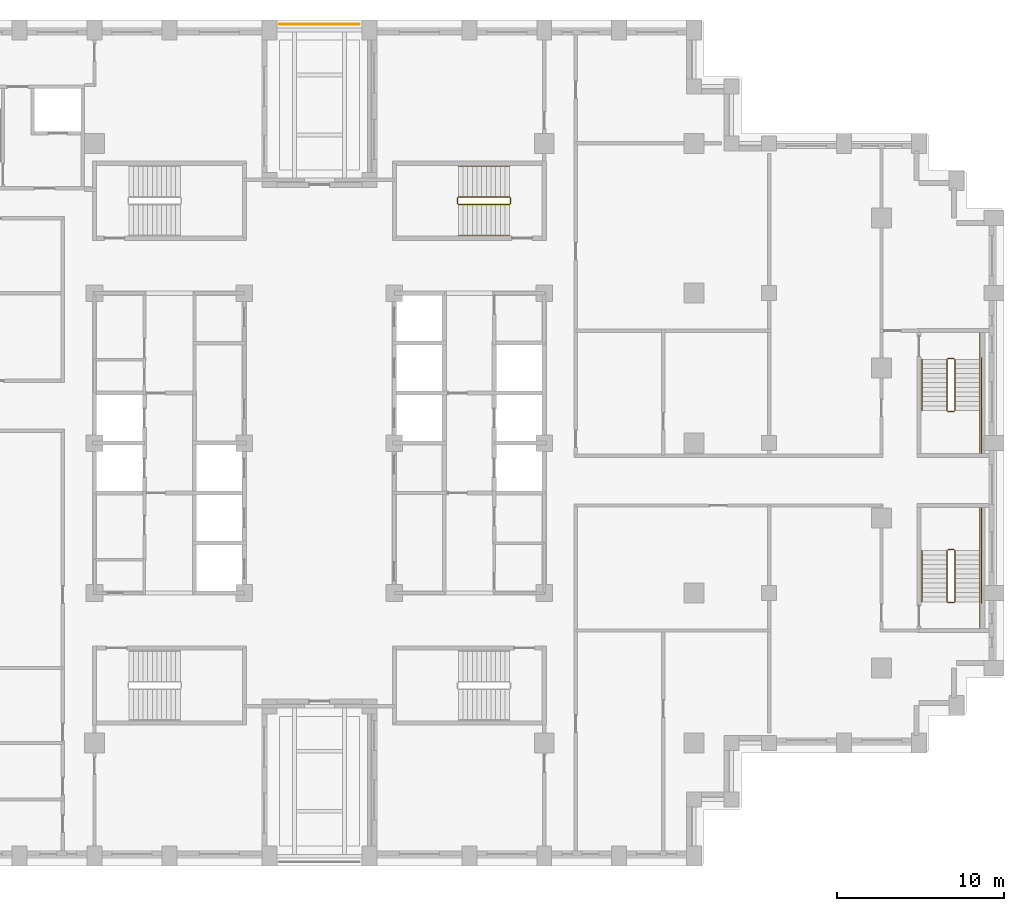
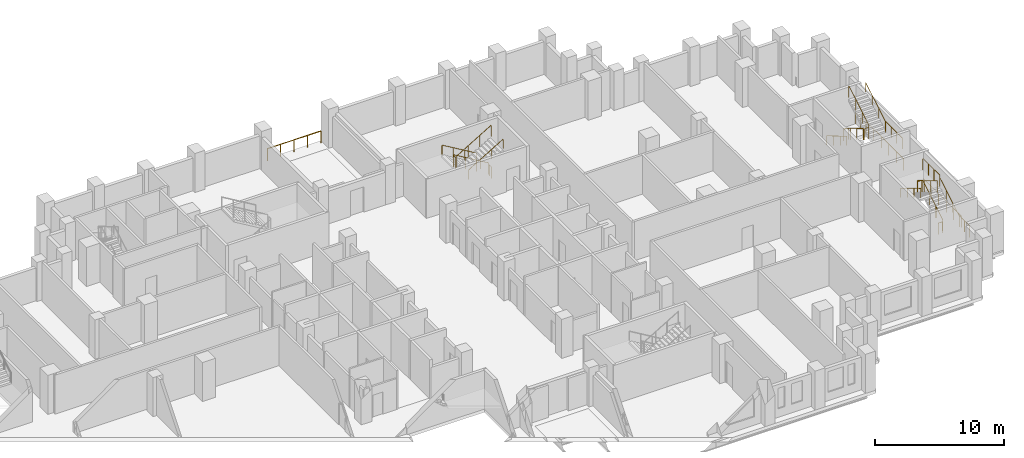
# One storey, part 13 of 13: 4 railings.
"""IFC4 building model written with IfcOpenShell, lengths in metres."""

from ifc_helpers import new_model, si_unit, direction, frame, origin, origin_2d, place, context, subcontext, project, spatial, circle, extrude, material, type_object, element, save


model = new_model("IFC4")

# Units and contexts
model_context = context("Model", 3, precision=1e-05, world=origin(), true_north=direction((0.0, 1.0)))
body_context = subcontext(model_context, "Body", "Model", "MODEL_VIEW")
ifc_project = project(units=[si_unit("LENGTHUNIT", "METRE"), si_unit("AREAUNIT", "SQUARE_METRE"), si_unit("VOLUMEUNIT", "CUBIC_METRE"), si_unit("PLANEANGLEUNIT", "RADIAN"), si_unit("MASSUNIT", "GRAM", prefix="KILO")], contexts=[model_context])

# Site, building, storey
site_placement = place(None, origin())
site = spatial("IfcSite", under=ifc_project, at=site_placement, CompositionType="ELEMENT")
building_placement = place(site_placement, origin())
building = spatial("IfcBuilding", under=site, at=building_placement, Name="Corbelhall Arena Tower", CompositionType="ELEMENT")
storey_placement = place(building_placement, frame((0.0, 0.0, 68.0)))
storey = spatial("IfcBuildingStorey", under=building, at=storey_placement, Name="L09", CompositionType="ELEMENT", Elevation=68.0)

# Railings
ifc_material = material(Name="Steel ASTM A500 Gr C", Category="steel")
railing_type_1 = type_object("IfcRailingType", Name="EV-GD1 Terrace guard 1100", PredefinedType="GUARDRAIL", material=ifc_material)
railing_1_placement = place(storey_placement, frame((-2.39990234375, 25.14990234375, 0.0)))
element("IfcRailing", 1, at=railing_1_placement, inside=storey, type_object=railing_type_1, Name="Guard", PredefinedType="GUARDRAIL", context=body_context, shape_type="SweptSolid", body=[
    extrude(circle(Radius=0.02392578125, at=origin_2d()), frame((0.0, 0.0, 1.1259765625), z_axis=(1.0, 0.0, 0.0), x_axis=(0.0, 1.0, 0.0)), (0.0, 0.0, 1.0), 4.7998046875),
    extrude(circle(Radius=0.02099609375, at=origin_2d()), origin(), (0.0, 0.0, 1.0), 1.101806640625),
    extrude(circle(Radius=0.02099609375, at=origin_2d()), frame((1.199951171875, 0.0, 0.0)), (0.0, 0.0, 1.0), 1.101806640625),
    extrude(circle(Radius=0.02099609375, at=origin_2d()), frame((2.39990234375, 0.0, 0.0)), (0.0, 0.0, 1.0), 1.101806640625),
    extrude(circle(Radius=0.02099609375, at=origin_2d()), frame((3.599853515625, 0.0, 0.0)), (0.0, 0.0, 1.0), 1.101806640625),
    extrude(circle(Radius=0.02099609375, at=origin_2d()), frame((4.7998046875, 0.0, 0.0)), (0.0, 0.0, 1.0), 1.101806640625),
])
railing_type_2 = type_object("IfcRailingType", Name="IN-GD-1100", PredefinedType="GUARDRAIL", material=ifc_material)
railing_2_placement = place(storey_placement, frame((11.425048828125, 14.77490234375, 0.166748046875)))
element("IfcRailing", 2, at=railing_2_placement, inside=storey, type_object=railing_type_2, Name="L09 ST3 stair guards and handrails", PredefinedType="GUARDRAIL", context=body_context, shape_type="SweptSolid", body=[
    extrude(circle(Radius=0.02392578125, at=origin_2d()), frame((0.0, 0.0, 1.076171875), z_axis=(-0.859308565015, 0.0, 0.511457515432), x_axis=(0.0, -1.0, 0.0)), (0.0, 0.0, 1.0), 3.58447265625),
    extrude(circle(Radius=0.02392578125, at=origin_2d()), frame((-3.130126953125, -0.0498046875, 2.9091796875), z_axis=(0.0, -1.0, 0.0), x_axis=(1.0, 0.0, 0.0)), (0.0, 0.0, 1.0), 0.35009765625),
    extrude(circle(Radius=0.02392578125, at=origin_2d()), frame((-3.080078125, -0.449951171875, 3.076171875), z_axis=(0.859308565015, 0.0, 0.511457515432), x_axis=(0.0, 1.0, 0.0)), (0.0, 0.0, 1.0), 3.58447265625),
    extrude(circle(Radius=0.02392578125, at=origin_2d()), frame((0.050048828125, -0.0498046875, 0.9091796875), z_axis=(0.0, -1.0, 0.0), x_axis=(1.0, 0.0, 0.0)), (0.0, 0.0, 1.0), 0.35009765625),
    extrude(circle(Radius=0.02392578125, at=origin_2d()), frame((0.0, 1.85009765625, 0.8759765625), z_axis=(-0.859308565015, 0.0, 0.511457515432), x_axis=(0.0, -1.0, 0.0)), (0.0, 0.0, 1.0), 3.58447265625),
    extrude(circle(Radius=0.02392578125, at=origin_2d()), frame((-3.080078125, -2.2998046875, 2.8759765625), z_axis=(0.859308565015, 0.0, 0.511457515432), x_axis=(0.0, 1.0, 0.0)), (0.0, 0.0, 1.0), 3.58447265625),
    extrude(circle(Radius=0.02099609375, at=origin_2d()), origin(), (0.0, 0.0, 1.0), 1.052001953125),
    extrude(circle(Radius=0.02099609375, at=origin_2d()), frame((-1.026611328125, 0.0, 0.611083984375)), (0.0, 0.0, 1.0), 1.052001953125),
    extrude(circle(Radius=0.02099609375, at=origin_2d()), frame((-2.053466796875, 0.0, 1.22216796875)), (0.0, 0.0, 1.0), 1.052001953125),
    extrude(circle(Radius=0.02099609375, at=origin_2d()), frame((-3.080078125, 0.0, 1.833251953125)), (0.0, 0.0, 1.0), 1.052001953125),
    extrude(circle(Radius=0.02099609375, at=origin_2d()), frame((-3.130126953125, -0.0498046875, 1.833251953125)), (0.0, 0.0, 1.0), 1.052001953125),
    extrude(circle(Radius=0.02099609375, at=origin_2d()), frame((-3.130126953125, -0.39990234375, 1.833251953125)), (0.0, 0.0, 1.0), 1.052001953125),
    extrude(circle(Radius=0.02099609375, at=origin_2d()), frame((-3.080078125, -0.449951171875, 2.0)), (0.0, 0.0, 1.0), 1.052001953125),
    extrude(circle(Radius=0.02099609375, at=origin_2d()), frame((-2.053466796875, -0.449951171875, 2.611083984375)), (0.0, 0.0, 1.0), 1.052001953125),
    extrude(circle(Radius=0.02099609375, at=origin_2d()), frame((-1.026611328125, -0.449951171875, 3.22216796875)), (0.0, 0.0, 1.0), 1.052001953125),
    extrude(circle(Radius=0.02099609375, at=origin_2d()), frame((0.0, -0.449951171875, 3.833251953125)), (0.0, 0.0, 1.0), 1.052001953125),
    extrude(circle(Radius=0.02099609375, at=origin_2d()), frame((0.050048828125, -0.0498046875, -0.166748046875)), (0.0, 0.0, 1.0), 1.052001953125),
    extrude(circle(Radius=0.02099609375, at=origin_2d()), frame((0.050048828125, -0.39990234375, -0.166748046875)), (0.0, 0.0, 1.0), 1.052001953125),
    extrude(circle(Radius=0.02099609375, at=origin_2d()), frame((0.0, 1.85009765625, 0.0)), (0.0, 0.0, 1.0), 0.851806640625),
    extrude(circle(Radius=0.02099609375, at=origin_2d()), frame((-1.026611328125, 1.85009765625, 0.611083984375)), (0.0, 0.0, 1.0), 0.851806640625),
    extrude(circle(Radius=0.02099609375, at=origin_2d()), frame((-2.053466796875, 1.85009765625, 1.22216796875)), (0.0, 0.0, 1.0), 0.851806640625),
    extrude(circle(Radius=0.02099609375, at=origin_2d()), frame((-3.080078125, 1.85009765625, 1.833251953125)), (0.0, 0.0, 1.0), 0.851806640625),
    extrude(circle(Radius=0.02099609375, at=origin_2d()), frame((-3.080078125, -2.2998046875, 2.0)), (0.0, 0.0, 1.0), 0.851806640625),
    extrude(circle(Radius=0.02099609375, at=origin_2d()), frame((-2.053466796875, -2.2998046875, 2.611083984375)), (0.0, 0.0, 1.0), 0.851806640625),
    extrude(circle(Radius=0.02099609375, at=origin_2d()), frame((-1.026611328125, -2.2998046875, 3.22216796875)), (0.0, 0.0, 1.0), 0.851806640625),
    extrude(circle(Radius=0.02099609375, at=origin_2d()), frame((0.0, -2.2998046875, 3.833251953125)), (0.0, 0.0, 1.0), 0.851806640625),
])
railing_3_placement = place(storey_placement, frame((38.14990234375, -9.52490234375, 0.166748046875)))
element("IfcRailing", 3, at=railing_3_placement, inside=storey, type_object=railing_type_2, Name="L09 SD1 stair guards and handrails", PredefinedType="GUARDRAIL", context=body_context, shape_type="SweptSolid", body=[
    extrude(circle(Radius=0.02392578125, at=origin_2d()), frame((0.0, 0.0, 1.076171875), z_axis=(0.0, 0.859290745958, 0.51148745235), x_axis=(-1.0, 0.0, 0.0)), (0.0, 0.0, 1.0), 3.584228515625),
    extrude(circle(Radius=0.02392578125, at=origin_2d()), frame((-0.0498046875, 3.1298828125, 2.9091796875), z_axis=(-1.0, 0.0, 0.0), x_axis=(0.0, -1.0, 0.0)), (0.0, 0.0, 1.0), 0.375),
    extrude(circle(Radius=0.02392578125, at=origin_2d()), frame((1.5, 3.079833984375, 2.9091796875), z_axis=(0.0, 1.0, 0.0), x_axis=(-1.0, 0.0, 0.0)), (0.0, 0.0, 1.0), 2.570068359375),
    extrude(circle(Radius=0.02392578125, at=origin_2d()), frame((-0.474853515625, 3.079833984375, 3.076171875), z_axis=(0.0, -0.859290745958, 0.51148745235), x_axis=(1.0, 0.0, 0.0)), (0.0, 0.0, 1.0), 3.584228515625),
    extrude(circle(Radius=0.02392578125, at=origin_2d()), frame((-0.0498046875, -0.050048828125, 0.9091796875), z_axis=(-1.0, 0.0, 0.0), x_axis=(0.0, -1.0, 0.0)), (0.0, 0.0, 1.0), 0.375),
    extrude(circle(Radius=0.02392578125, at=origin_2d()), frame((1.5, -1.60009765625, 0.9091796875), z_axis=(0.0, 1.0, 0.0), x_axis=(-1.0, 0.0, 0.0)), (0.0, 0.0, 1.0), 1.60009765625),
    extrude(circle(Radius=0.02392578125, at=origin_2d()), frame((1.60009765625, -0.10009765625, 0.9091796875), z_axis=(0.0, 1.0, 0.0), x_axis=(-1.0, 0.0, 0.0)), (0.0, 0.0, 1.0), 5.85009765625),
    extrude(circle(Radius=0.02392578125, at=origin_2d()), frame((1.5, 0.0, 0.8759765625), z_axis=(0.0, 0.859290745958, 0.51148745235), x_axis=(-1.0, 0.0, 0.0)), (0.0, 0.0, 1.0), 3.584228515625),
    extrude(circle(Radius=0.02392578125, at=origin_2d()), frame((-1.974853515625, 3.079833984375, 2.8759765625), z_axis=(0.0, -0.859290745958, 0.51148745235), x_axis=(1.0, 0.0, 0.0)), (0.0, 0.0, 1.0), 3.584228515625),
    extrude(circle(Radius=0.02099609375, at=origin_2d()), origin(), (0.0, 0.0, 1.0), 1.052001953125),
    extrude(circle(Radius=0.02099609375, at=origin_2d()), frame((0.0, 1.026611328125, 0.611083984375)), (0.0, 0.0, 1.0), 1.052001953125),
    extrude(circle(Radius=0.02099609375, at=origin_2d()), frame((0.0, 2.05322265625, 1.22216796875)), (0.0, 0.0, 1.0), 1.052001953125),
    extrude(circle(Radius=0.02099609375, at=origin_2d()), frame((0.0, 3.079833984375, 1.833251953125)), (0.0, 0.0, 1.0), 1.052001953125),
    extrude(circle(Radius=0.02099609375, at=origin_2d()), frame((-0.0498046875, 3.1298828125, 1.833251953125)), (0.0, 0.0, 1.0), 1.052001953125),
    extrude(circle(Radius=0.02099609375, at=origin_2d()), frame((-0.4248046875, 3.1298828125, 1.833251953125)), (0.0, 0.0, 1.0), 1.052001953125),
    extrude(circle(Radius=0.02099609375, at=origin_2d()), frame((1.5, 3.079833984375, 1.833251953125)), (0.0, 0.0, 1.0), 1.052001953125),
    extrude(circle(Radius=0.02099609375, at=origin_2d()), frame((1.5, 3.9365234375, 1.833251953125)), (0.0, 0.0, 1.0), 1.052001953125),
    extrude(circle(Radius=0.02099609375, at=origin_2d()), frame((1.5, 4.793212890625, 1.833251953125)), (0.0, 0.0, 1.0), 1.052001953125),
    extrude(circle(Radius=0.02099609375, at=origin_2d()), frame((1.5, 5.64990234375, 1.833251953125)), (0.0, 0.0, 1.0), 1.052001953125),
    extrude(circle(Radius=0.02099609375, at=origin_2d()), frame((-0.474853515625, 3.079833984375, 2.0)), (0.0, 0.0, 1.0), 1.052001953125),
    extrude(circle(Radius=0.02099609375, at=origin_2d()), frame((-0.474853515625, 2.05322265625, 2.611083984375)), (0.0, 0.0, 1.0), 1.052001953125),
    extrude(circle(Radius=0.02099609375, at=origin_2d()), frame((-0.474853515625, 1.026611328125, 3.22216796875)), (0.0, 0.0, 1.0), 1.052001953125),
    extrude(circle(Radius=0.02099609375, at=origin_2d()), frame((-0.474853515625, 0.0, 3.833251953125)), (0.0, 0.0, 1.0), 1.052001953125),
    extrude(circle(Radius=0.02099609375, at=origin_2d()), frame((-0.0498046875, -0.050048828125, -0.166748046875)), (0.0, 0.0, 1.0), 1.052001953125),
    extrude(circle(Radius=0.02099609375, at=origin_2d()), frame((-0.4248046875, -0.050048828125, -0.166748046875)), (0.0, 0.0, 1.0), 1.052001953125),
    extrude(circle(Radius=0.02099609375, at=origin_2d()), frame((1.5, -1.60009765625, -0.166748046875)), (0.0, 0.0, 1.0), 1.052001953125),
    extrude(circle(Radius=0.02099609375, at=origin_2d()), frame((1.5, -0.800048828125, -0.166748046875)), (0.0, 0.0, 1.0), 1.052001953125),
    extrude(circle(Radius=0.02099609375, at=origin_2d()), frame((1.5, 0.0, -0.166748046875)), (0.0, 0.0, 1.0), 1.052001953125),
    extrude(circle(Radius=0.02099609375, at=origin_2d()), frame((1.60009765625, -0.10009765625, -0.166748046875)), (0.0, 0.0, 1.0), 1.052001953125),
    extrude(circle(Radius=0.02099609375, at=origin_2d()), frame((1.60009765625, 1.06982421875, -0.166748046875)), (0.0, 0.0, 1.0), 1.052001953125),
    extrude(circle(Radius=0.02099609375, at=origin_2d()), frame((1.60009765625, 2.239990234375, -0.166748046875)), (0.0, 0.0, 1.0), 1.052001953125),
    extrude(circle(Radius=0.02099609375, at=origin_2d()), frame((1.60009765625, 3.409912109375, -0.166748046875)), (0.0, 0.0, 1.0), 1.052001953125),
    extrude(circle(Radius=0.02099609375, at=origin_2d()), frame((1.60009765625, 4.580078125, -0.166748046875)), (0.0, 0.0, 1.0), 1.052001953125),
    extrude(circle(Radius=0.02099609375, at=origin_2d()), frame((1.60009765625, 5.75, -0.166748046875)), (0.0, 0.0, 1.0), 1.052001953125),
    extrude(circle(Radius=0.02099609375, at=origin_2d()), frame((1.5, 0.0, 0.0)), (0.0, 0.0, 1.0), 0.851806640625),
    extrude(circle(Radius=0.02099609375, at=origin_2d()), frame((1.5, 1.026611328125, 0.611083984375)), (0.0, 0.0, 1.0), 0.851806640625),
    extrude(circle(Radius=0.02099609375, at=origin_2d()), frame((1.5, 2.05322265625, 1.22216796875)), (0.0, 0.0, 1.0), 0.851806640625),
    extrude(circle(Radius=0.02099609375, at=origin_2d()), frame((-1.974853515625, 3.079833984375, 2.0)), (0.0, 0.0, 1.0), 0.851806640625),
    extrude(circle(Radius=0.02099609375, at=origin_2d()), frame((-1.974853515625, 2.05322265625, 2.611083984375)), (0.0, 0.0, 1.0), 0.851806640625),
    extrude(circle(Radius=0.02099609375, at=origin_2d()), frame((-1.974853515625, 1.026611328125, 3.22216796875)), (0.0, 0.0, 1.0), 0.851806640625),
    extrude(circle(Radius=0.02099609375, at=origin_2d()), frame((-1.974853515625, 0.0, 3.833251953125)), (0.0, 0.0, 1.0), 0.851806640625),
])
railing_4_placement = place(storey_placement, frame((37.675048828125, 5.02490234375, 0.166748046875)))
element("IfcRailing", 4, at=railing_4_placement, inside=storey, type_object=railing_type_2, Name="L09 SD2 stair guards and handrails", PredefinedType="GUARDRAIL", context=body_context, shape_type="SweptSolid", body=[
    extrude(circle(Radius=0.02392578125, at=origin_2d()), frame((0.0, 0.0, 1.076171875), z_axis=(0.0, -0.859290745958, 0.51148745235), x_axis=(1.0, 0.0, 0.0)), (0.0, 0.0, 1.0), 3.584228515625),
    extrude(circle(Radius=0.02392578125, at=origin_2d()), frame((0.050048828125, -3.1298828125, 2.9091796875), z_axis=(1.0, 0.0, 0.0), x_axis=(0.0, 1.0, 0.0)), (0.0, 0.0, 1.0), 0.375),
    extrude(circle(Radius=0.02392578125, at=origin_2d()), frame((1.974853515625, -3.079833984375, 2.9091796875), z_axis=(0.0, -1.0, 0.0), x_axis=(1.0, 0.0, 0.0)), (0.0, 0.0, 1.0), 2.570068359375),
    extrude(circle(Radius=0.02392578125, at=origin_2d()), frame((0.474853515625, -3.079833984375, 3.076171875), z_axis=(0.0, 0.859290745958, 0.51148745235), x_axis=(-1.0, 0.0, 0.0)), (0.0, 0.0, 1.0), 3.584228515625),
    extrude(circle(Radius=0.02392578125, at=origin_2d()), frame((0.050048828125, 0.050048828125, 0.9091796875), z_axis=(1.0, 0.0, 0.0), x_axis=(0.0, 1.0, 0.0)), (0.0, 0.0, 1.0), 0.375),
    extrude(circle(Radius=0.02392578125, at=origin_2d()), frame((1.974853515625, 1.60009765625, 0.9091796875), z_axis=(0.0, -1.0, 0.0), x_axis=(1.0, 0.0, 0.0)), (0.0, 0.0, 1.0), 1.60009765625),
    extrude(circle(Radius=0.02392578125, at=origin_2d()), frame((2.074951171875, 0.10009765625, 0.9091796875), z_axis=(0.0, -1.0, 0.0), x_axis=(1.0, 0.0, 0.0)), (0.0, 0.0, 1.0), 5.85009765625),
    extrude(circle(Radius=0.02392578125, at=origin_2d()), frame((-1.5, 0.0, 0.8759765625), z_axis=(0.0, -0.859290745958, 0.51148745235), x_axis=(1.0, 0.0, 0.0)), (0.0, 0.0, 1.0), 3.584228515625),
    extrude(circle(Radius=0.02392578125, at=origin_2d()), frame((1.974853515625, -3.079833984375, 2.8759765625), z_axis=(0.0, 0.859290745958, 0.51148745235), x_axis=(-1.0, 0.0, 0.0)), (0.0, 0.0, 1.0), 3.584228515625),
    extrude(circle(Radius=0.02099609375, at=origin_2d()), origin(), (0.0, 0.0, 1.0), 1.052001953125),
    extrude(circle(Radius=0.02099609375, at=origin_2d()), frame((0.0, -1.026611328125, 0.611083984375)), (0.0, 0.0, 1.0), 1.052001953125),
    extrude(circle(Radius=0.02099609375, at=origin_2d()), frame((0.0, -2.05322265625, 1.22216796875)), (0.0, 0.0, 1.0), 1.052001953125),
    extrude(circle(Radius=0.02099609375, at=origin_2d()), frame((0.0, -3.079833984375, 1.833251953125)), (0.0, 0.0, 1.0), 1.052001953125),
    extrude(circle(Radius=0.02099609375, at=origin_2d()), frame((0.050048828125, -3.1298828125, 1.833251953125)), (0.0, 0.0, 1.0), 1.052001953125),
    extrude(circle(Radius=0.02099609375, at=origin_2d()), frame((0.425048828125, -3.1298828125, 1.833251953125)), (0.0, 0.0, 1.0), 1.052001953125),
    extrude(circle(Radius=0.02099609375, at=origin_2d()), frame((1.974853515625, -3.079833984375, 1.833251953125)), (0.0, 0.0, 1.0), 1.052001953125),
    extrude(circle(Radius=0.02099609375, at=origin_2d()), frame((1.974853515625, -3.9365234375, 1.833251953125)), (0.0, 0.0, 1.0), 1.052001953125),
    extrude(circle(Radius=0.02099609375, at=origin_2d()), frame((1.974853515625, -4.793212890625, 1.833251953125)), (0.0, 0.0, 1.0), 1.052001953125),
    extrude(circle(Radius=0.02099609375, at=origin_2d()), frame((1.974853515625, -5.64990234375, 1.833251953125)), (0.0, 0.0, 1.0), 1.052001953125),
    extrude(circle(Radius=0.02099609375, at=origin_2d()), frame((0.474853515625, -3.079833984375, 2.0)), (0.0, 0.0, 1.0), 1.052001953125),
    extrude(circle(Radius=0.02099609375, at=origin_2d()), frame((0.474853515625, -2.05322265625, 2.611083984375)), (0.0, 0.0, 1.0), 1.052001953125),
    extrude(circle(Radius=0.02099609375, at=origin_2d()), frame((0.474853515625, -1.026611328125, 3.22216796875)), (0.0, 0.0, 1.0), 1.052001953125),
    extrude(circle(Radius=0.02099609375, at=origin_2d()), frame((0.474853515625, 0.0, 3.833251953125)), (0.0, 0.0, 1.0), 1.052001953125),
    extrude(circle(Radius=0.02099609375, at=origin_2d()), frame((0.050048828125, 0.050048828125, -0.166748046875)), (0.0, 0.0, 1.0), 1.052001953125),
    extrude(circle(Radius=0.02099609375, at=origin_2d()), frame((0.425048828125, 0.050048828125, -0.166748046875)), (0.0, 0.0, 1.0), 1.052001953125),
    extrude(circle(Radius=0.02099609375, at=origin_2d()), frame((1.974853515625, 1.60009765625, -0.166748046875)), (0.0, 0.0, 1.0), 1.052001953125),
    extrude(circle(Radius=0.02099609375, at=origin_2d()), frame((1.974853515625, 0.800048828125, -0.166748046875)), (0.0, 0.0, 1.0), 1.052001953125),
    extrude(circle(Radius=0.02099609375, at=origin_2d()), frame((1.974853515625, 0.0, -0.166748046875)), (0.0, 0.0, 1.0), 1.052001953125),
    extrude(circle(Radius=0.02099609375, at=origin_2d()), frame((2.074951171875, 0.10009765625, -0.166748046875)), (0.0, 0.0, 1.0), 1.052001953125),
    extrude(circle(Radius=0.02099609375, at=origin_2d()), frame((2.074951171875, -1.06982421875, -0.166748046875)), (0.0, 0.0, 1.0), 1.052001953125),
    extrude(circle(Radius=0.02099609375, at=origin_2d()), frame((2.074951171875, -2.239990234375, -0.166748046875)), (0.0, 0.0, 1.0), 1.052001953125),
    extrude(circle(Radius=0.02099609375, at=origin_2d()), frame((2.074951171875, -3.409912109375, -0.166748046875)), (0.0, 0.0, 1.0), 1.052001953125),
    extrude(circle(Radius=0.02099609375, at=origin_2d()), frame((2.074951171875, -4.580078125, -0.166748046875)), (0.0, 0.0, 1.0), 1.052001953125),
    extrude(circle(Radius=0.02099609375, at=origin_2d()), frame((2.074951171875, -5.75, -0.166748046875)), (0.0, 0.0, 1.0), 1.052001953125),
    extrude(circle(Radius=0.02099609375, at=origin_2d()), frame((-1.5, 0.0, 0.0)), (0.0, 0.0, 1.0), 0.851806640625),
    extrude(circle(Radius=0.02099609375, at=origin_2d()), frame((-1.5, -1.026611328125, 0.611083984375)), (0.0, 0.0, 1.0), 0.851806640625),
    extrude(circle(Radius=0.02099609375, at=origin_2d()), frame((-1.5, -2.05322265625, 1.22216796875)), (0.0, 0.0, 1.0), 0.851806640625),
    extrude(circle(Radius=0.02099609375, at=origin_2d()), frame((-1.5, -3.079833984375, 1.833251953125)), (0.0, 0.0, 1.0), 0.851806640625),
    extrude(circle(Radius=0.02099609375, at=origin_2d()), frame((1.974853515625, -3.079833984375, 2.0)), (0.0, 0.0, 1.0), 0.851806640625),
    extrude(circle(Radius=0.02099609375, at=origin_2d()), frame((1.974853515625, -2.05322265625, 2.611083984375)), (0.0, 0.0, 1.0), 0.851806640625),
    extrude(circle(Radius=0.02099609375, at=origin_2d()), frame((1.974853515625, -1.026611328125, 3.22216796875)), (0.0, 0.0, 1.0), 0.851806640625),
    extrude(circle(Radius=0.02099609375, at=origin_2d()), frame((1.974853515625, 0.0, 3.833251953125)), (0.0, 0.0, 1.0), 0.851806640625),
])

save(model, "model.ifc")
